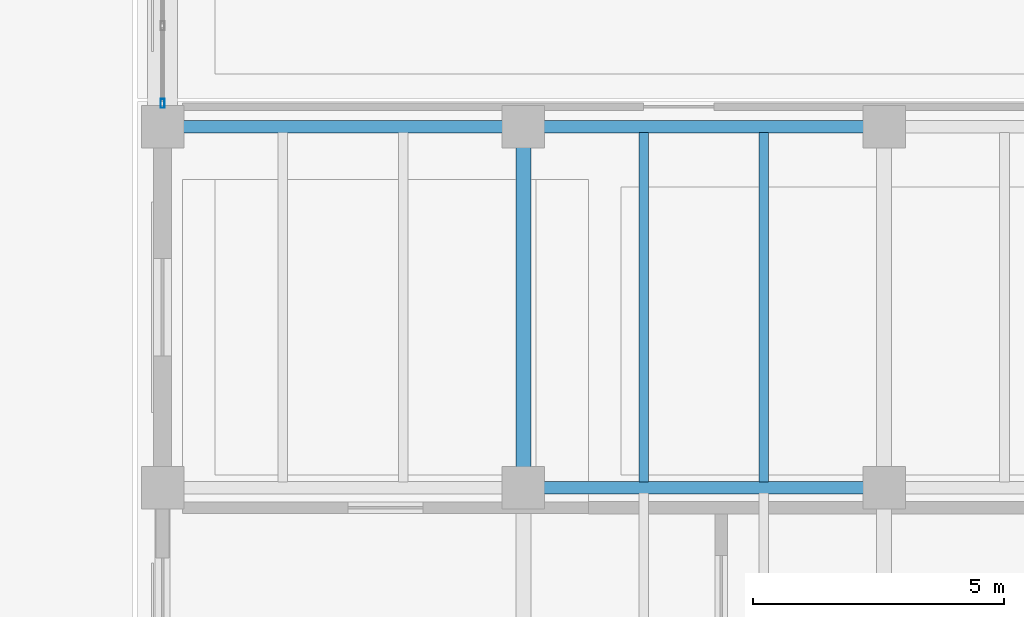
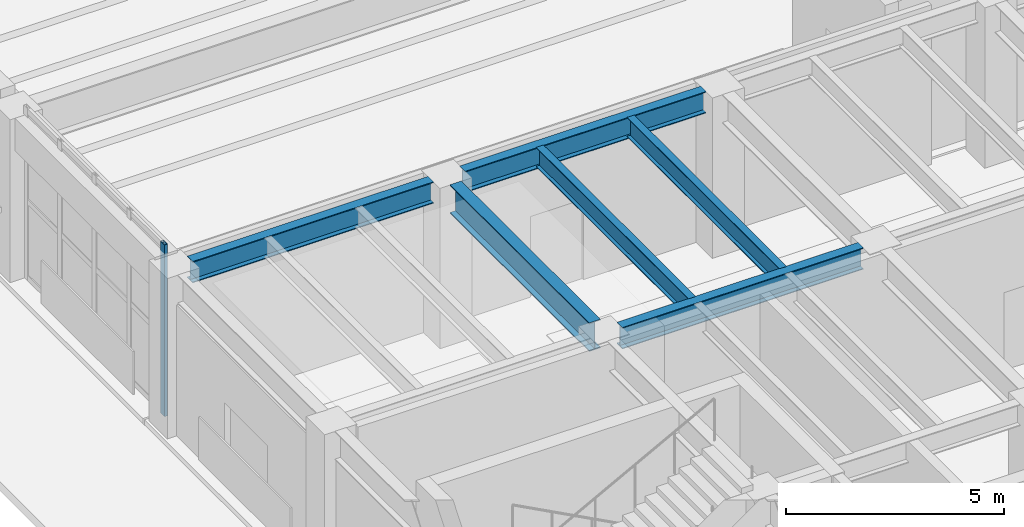
# One storey, part 5 of 39: 6 beams, 1 member, 1 element without a shape of its own.
"""IFC4 building model written with IfcOpenShell, lengths in metres."""

from ifc_helpers import new_model, si_unit, direction, frame, origin, origin_2d, place, context, subcontext, project, spatial, hollow_rectangle, i_section, extrude, material, layer, layer_set, material_profile, profile_set, type_object, element, aggregate, save


model = new_model("IFC4")

# Units and contexts
model_context = context("Model", 3, precision=1e-05, world=origin(), true_north=direction((0.0, 1.0)))
body_context = subcontext(model_context, "Body", "Model", "MODEL_VIEW")
ifc_project = project(units=[si_unit("LENGTHUNIT", "METRE"), si_unit("AREAUNIT", "SQUARE_METRE"), si_unit("VOLUMEUNIT", "CUBIC_METRE"), si_unit("PLANEANGLEUNIT", "RADIAN"), si_unit("MASSUNIT", "GRAM", prefix="KILO")], contexts=[model_context])

# Site, building, storey
site_placement = place(None, origin())
site = spatial("IfcSite", under=ifc_project, at=site_placement, CompositionType="ELEMENT")
building_placement = place(site_placement, origin())
building = spatial("IfcBuilding", under=site, at=building_placement, Name="Kandorven Conservatory and Botanical Research Centre", CompositionType="ELEMENT")
storey_placement = place(building_placement, origin())
storey = spatial("IfcBuildingStorey", under=building, at=storey_placement, Name="L00", CompositionType="ELEMENT", Elevation=0.0)

# Beams
ifc_material_1 = material(Name="Steel S355 (IS 2062 E350)", Category="steel")
ifc_material_profile_1 = material_profile(ifc_material_1, i_section(OverallWidth=0.25, OverallDepth=0.60009765625, WebThickness=0.01171875, FlangeThickness=0.023681640625, at=origin_2d()))
ifc_profile_set_1 = profile_set([ifc_material_profile_1], Name="Steel S355 (IS 2062 E350)")
beam_type_1 = type_object("IfcBeamType", Name="Beam_FG-01", PredefinedType="USERDEFINED", material=ifc_profile_set_1)
beam_1_placement = place(storey_placement, frame((13.614990234375, 27.60009765625, 4.179931640625), z_axis=(1.0, 0.0, 0.0), x_axis=(0.0, 1.0, 0.0)))
element("IfcBeam", 1, at=beam_1_placement, inside=storey, type_object=beam_type_1, Name="Primary girder FG-01 TWR L00", ObjectType="GIRDER", PredefinedType="USERDEFINED", context=body_context, shape_type="SweptSolid", body=[
    extrude(i_section(OverallWidth=0.25, OverallDepth=0.60009765625, WebThickness=0.01171875, FlangeThickness=0.023681640625, at=origin_2d()), origin(), (0.0, 0.0, 1.0), 6.3701171875),
])
beam_2_placement = place(storey_placement, frame((6.4150390625, 34.800048828125, 4.179931640625), z_axis=(1.0, 0.0, 0.0), x_axis=(0.0, 1.0, 0.0)))
element("IfcBeam", 2, at=beam_2_placement, inside=storey, type_object=beam_type_1, Name="Primary girder FG-01 TWR L00", ObjectType="GIRDER", PredefinedType="USERDEFINED", context=body_context, shape_type="SweptSolid", body=[
    extrude(i_section(OverallWidth=0.25, OverallDepth=0.60009765625, WebThickness=0.01171875, FlangeThickness=0.023681640625, at=origin_2d()), origin(), (0.0, 0.0, 1.0), 6.369873046875),
])
beam_3_placement = place(storey_placement, frame((13.614990234375, 34.800048828125, 4.179931640625), z_axis=(1.0, 0.0, 0.0), x_axis=(0.0, 1.0, 0.0)))
element("IfcBeam", 3, at=beam_3_placement, inside=storey, type_object=beam_type_1, Name="Primary girder FG-01 TWR L00", ObjectType="GIRDER", PredefinedType="USERDEFINED", context=body_context, shape_type="SweptSolid", body=[
    extrude(i_section(OverallWidth=0.25, OverallDepth=0.60009765625, WebThickness=0.01171875, FlangeThickness=0.023681640625, at=origin_2d()), origin(), (0.0, 0.0, 1.0), 6.3701171875),
])
ifc_material_2 = material(Name="Steel S355 (IS 2062 E350)", Category="steel")
ifc_material_profile_2 = material_profile(ifc_material_2, i_section(OverallWidth=0.300048828125, OverallDepth=0.800048828125, WebThickness=0.01611328125, FlangeThickness=0.028076171875, at=origin_2d()))
ifc_profile_set_2 = profile_set([ifc_material_profile_2], Name="Steel S355 (IS 2062 E350)")
beam_type_2 = type_object("IfcBeamType", Name="Beam_PG-02", PredefinedType="USERDEFINED", material=ifc_profile_set_2)
beam_4_placement = place(storey_placement, frame((13.199951171875, 28.014892578125, 4.080078125), z_axis=(0.0, 1.0, 0.0), x_axis=(-1.0, 0.0, 0.0)))
element("IfcBeam", 4, at=beam_4_placement, inside=storey, type_object=beam_type_2, Name="Primary girder PG-02 TWR L00", ObjectType="GIRDER", PredefinedType="USERDEFINED", context=body_context, shape_type="SweptSolid", body=[
    extrude(i_section(OverallWidth=0.300048828125, OverallDepth=0.800048828125, WebThickness=0.01611328125, FlangeThickness=0.028076171875, at=origin_2d()), origin(), (0.0, 0.0, 1.0), 6.3701171875),
])
ifc_material_3 = material(Name="Steel S355 (IS 2062 E350)", Category="steel")
ifc_material_profile_3 = material_profile(ifc_material_3, i_section(OverallWidth=0.18994140625, OverallDepth=0.550048828125, WebThickness=0.01123046875, FlangeThickness=0.019287109375, at=origin_2d()))
ifc_profile_set_3 = profile_set([ifc_material_profile_3], Name="Steel S355 (IS 2062 E350)")
beam_type_3 = type_object("IfcBeamType", Name="Beam_SB-02", PredefinedType="BEAM", material=ifc_profile_set_3)
for number, where, z_axis, x_axis, name in (
    (5, (15.60009765625, 27.7099609375, 4.205078125), (0.0, 1.0, 0.0), (-1.0, 0.0, 0.0), "Composite secondary beam SB-02 TWR L00"),
    (6, (18.0, 27.7099609375, 4.205078125), (0.0, 1.0, 0.0), (-1.0, 0.0, 0.0), "Composite secondary beam SB-02 TWR L00"),
):
    element("IfcBeam", number, at=place(storey_placement, frame(where, z_axis=z_axis, x_axis=x_axis)), inside=storey, type_object=beam_type_3, Name=name, PredefinedType="BEAM", context=body_context, shape_type="SweptSolid", body=[
        extrude(i_section(OverallWidth=0.18994140625, OverallDepth=0.550048828125, WebThickness=0.01123046875, FlangeThickness=0.019287109375, at=origin_2d()), origin(), (0.0, 0.0, 1.0), 6.97998046875),
    ])

# Curtain wall, member
ifc_material_4 = material(Name="Bronze anodised thermally broken aluminium", Category="aluminium")
ifc_layer = layer(ifc_material_4, 0.179931640625)
ifc_layer_set = layer_set([ifc_layer], Name="Bronze anodised thermally broken aluminium")
curtain_wall_type = type_object("IfcCurtainWallType", Name="CW_Unitised", PredefinedType="USERDEFINED", material=ifc_layer_set)
curtain_wall_placement = place(storey_placement, origin())
curtain_wall = element("IfcCurtainWall", 7, at=curtain_wall_placement, inside=storey, type_object=curtain_wall_type, Name="Auditorium foyer curtain wall CW-AUD-L00-1", ObjectType="UNITISED GLAZING", PredefinedType="USERDEFINED")
ifc_material_5 = material(Name="Bronze anodised thermally broken aluminium", Category="aluminium")
ifc_material_profile_4 = material_profile(ifc_material_5, hollow_rectangle(XDim=0.080078125, YDim=0.179931640625, WallThickness=0.006103515625, at=origin_2d()))
ifc_profile_set_4 = profile_set([ifc_material_profile_4], Name="Bronze anodised thermally broken aluminium")
member_type = type_object("IfcMemberType", Name="CW_Mullion", PredefinedType="MULLION", material=ifc_profile_set_4)
member_placement = place(storey_placement, frame((6.0, 35.264892578125, 0.0), z_axis=(0.0, 0.0, 1.0), x_axis=(-1.0, 0.0, 0.0)))
member = element("IfcMember", 8, at=member_placement, type_object=member_type, Name="CW-01 mullion 1", PredefinedType="MULLION", context=body_context, shape_type="SweptSolid", body=[
    extrude(hollow_rectangle(XDim=0.080078125, YDim=0.179931640625, WallThickness=0.006103515625, at=origin_2d()), origin(), (0.0, 0.0, 1.0), 4.800048828125),
])
aggregate(curtain_wall, [member])

save(model, "model.ifc")
